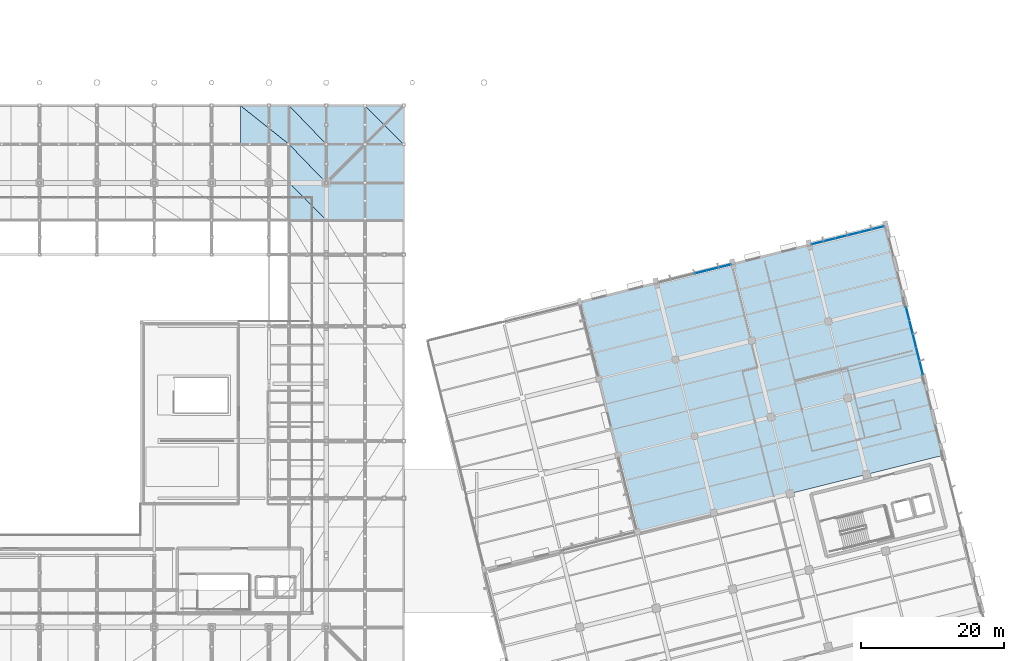
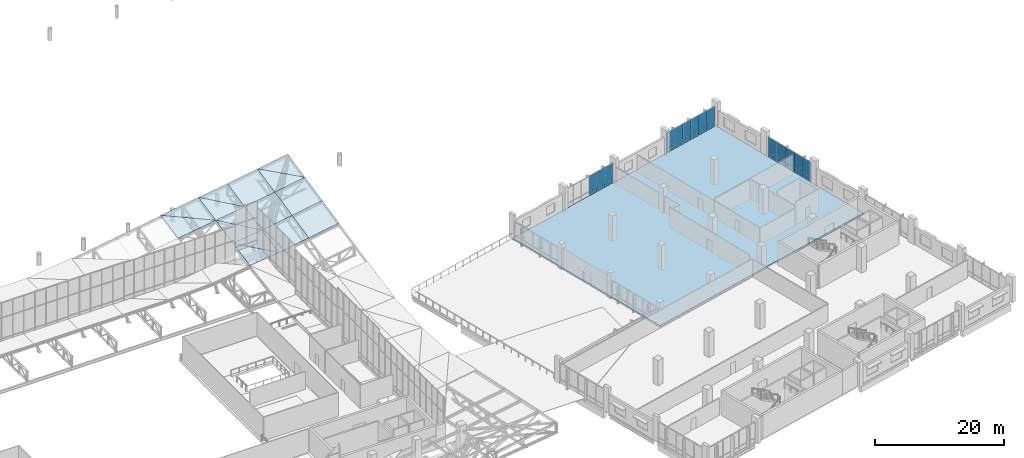
# One storey, part 113 of 137: 28 plates, 16 slabs, 4 elements without a shape of their own.
"""IFC4 building model written with IfcOpenShell, lengths in metres."""

from ifc_helpers import new_model, si_unit, direction, frame, origin, origin_2d, place, context, subcontext, project, spatial, polyline, rectangle, outline, extrude, material, layer, layer_set, type_object, element, aggregate, save


model = new_model("IFC4")

# Units and contexts
model_context = context("Model", 3, precision=1e-05, world=origin(), true_north=direction((0.0, 1.0)))
body_context = subcontext(model_context, "Body", "Model", "MODEL_VIEW")
ifc_project = project(units=[si_unit("LENGTHUNIT", "METRE"), si_unit("AREAUNIT", "SQUARE_METRE"), si_unit("VOLUMEUNIT", "CUBIC_METRE"), si_unit("PLANEANGLEUNIT", "RADIAN"), si_unit("MASSUNIT", "GRAM", prefix="KILO")], contexts=[model_context])

# Site, building, storey
site_placement = place(None, origin())
site = spatial("IfcSite", under=ifc_project, at=site_placement, CompositionType="ELEMENT")
building_placement = place(site_placement, origin())
building = spatial("IfcBuilding", under=site, at=building_placement, Name="Khorjan Park Terminus", CompositionType="ELEMENT")
storey_placement = place(building_placement, frame((0.0, 0.0, 11.4)))
storey = spatial("IfcBuildingStorey", under=building, at=storey_placement, Name="L02", CompositionType="ELEMENT", Elevation=11.4)

# Curtain wall, plates
ifc_material_1 = material(Name="Anodized Bronze Aluminium", Category="aluminium")
ifc_layer_1 = layer(ifc_material_1, 0.22)
ifc_layer_set_1 = layer_set([ifc_layer_1], Name="Anodized Bronze Aluminium")
curtain_wall_type = type_object("IfcCurtainWallType", Name="CW-OPS-B", PredefinedType="NOTDEFINED", material=ifc_layer_set_1)
curtain_wall_1_placement = place(storey_placement, origin())
curtain_wall_1 = element("IfcCurtainWall", 1, at=curtain_wall_1_placement, inside=storey, type_object=curtain_wall_type, Name="Unitized curtain wall CW-B (CW-V5-N1-L02-B03)", PredefinedType="NOTDEFINED")
ifc_material_2 = material(Name="Low-E Solar Control Double Glazing", Category="glass")
ifc_layer_2 = layer(ifc_material_2, 0.032)
ifc_layer_set_2 = layer_set([ifc_layer_2], Name="Low-E Solar Control Double Glazing")
plate_type_1 = type_object("IfcPlateType", Name="GL-VIS-32", PredefinedType="CURTAIN_PANEL", material=ifc_layer_set_2)
plate_1_placement = place(storey_placement, frame((191.5697, 76.3957, 0.833), z_axis=(0.0, 0.0, 1.0), x_axis=(-0.970295910648, -0.241921156122, 0.0)))
plate_1 = element("IfcPlate", 2, at=plate_1_placement, type_object=plate_type_1, Name="Curtain-wall panel VP-32 (CW-V5-N1-L02-B03-0-2)", PredefinedType="CURTAIN_PANEL", context=body_context, shape_type="SweptSolid", body=[
    extrude(rectangle(XDim=1.7233, YDim=0.032, at=origin_2d()), origin(), (0.0, 0.0, 1.0), 2.962),
])
plate_2_placement = place(storey_placement, frame((189.8976, 75.9788, 0.833), z_axis=(0.0, 0.0, 1.0), x_axis=(-0.970295910648, -0.241921156122, 0.0)))
plate_2 = element("IfcPlate", 3, at=plate_2_placement, type_object=plate_type_1, Name="Curtain-wall panel VP-32 (CW-V5-N1-L02-B03-1-2)", PredefinedType="CURTAIN_PANEL", context=body_context, shape_type="SweptSolid", body=[
    extrude(rectangle(XDim=1.7233, YDim=0.032, at=origin_2d()), origin(), (0.0, 0.0, 1.0), 2.962),
])
plate_3_placement = place(storey_placement, frame((188.2255, 75.5619, 0.833), z_axis=(0.0, 0.0, 1.0), x_axis=(-0.970295910648, -0.241921156122, 0.0)))
plate_3 = element("IfcPlate", 4, at=plate_3_placement, type_object=plate_type_1, Name="Curtain-wall panel VP-32 (CW-V5-N1-L02-B03-2-2)", PredefinedType="CURTAIN_PANEL", context=body_context, shape_type="SweptSolid", body=[
    extrude(rectangle(XDim=1.7233, YDim=0.032, at=origin_2d()), origin(), (0.0, 0.0, 1.0), 2.962),
])

curtain_wall_2_placement = place(storey_placement, origin())
curtain_wall_2 = element("IfcCurtainWall", 5, at=curtain_wall_2_placement, inside=storey, type_object=curtain_wall_type, Name="Unitized curtain wall CW-B (CW-V5-E-L02-B05)", PredefinedType="NOTDEFINED")
ifc_material_3 = material(Name="Acoustic Laminated Solar Glazing", Category="glass")
ifc_layer_3 = layer(ifc_material_3, 0.036)
ifc_layer_set_3 = layer_set([ifc_layer_3], Name="Acoustic Laminated Solar Glazing")
plate_type_2 = type_object("IfcPlateType", Name="GL-VIS-36", PredefinedType="CURTAIN_PANEL", material=ifc_layer_set_3)
plate_4_placement = place(storey_placement, frame((218.9973, 62.2552, 0.833), z_axis=(0.0, 0.0, 1.0), x_axis=(-0.241935125171, 0.970292427678, 0.0)))
plate_4 = element("IfcPlate", 6, at=plate_4_placement, type_object=plate_type_2, Name="Curtain-wall panel VP-36 (CW-V5-E-L02-B05-0-2)", PredefinedType="CURTAIN_PANEL", context=body_context, shape_type="SweptSolid", body=[
    extrude(rectangle(XDim=1.928, YDim=0.036, at=origin_2d()), origin(), (0.0, 0.0, 1.0), 2.962),
])
plate_5_placement = place(storey_placement, frame((218.5308, 64.1258, 0.833), z_axis=(0.0, 0.0, 1.0), x_axis=(-0.241935125171, 0.970292427678, 0.0)))
plate_5 = element("IfcPlate", 7, at=plate_5_placement, type_object=plate_type_2, Name="Curtain-wall panel VP-36 (CW-V5-E-L02-B05-1-2)", PredefinedType="CURTAIN_PANEL", context=body_context, shape_type="SweptSolid", body=[
    extrude(rectangle(XDim=1.928, YDim=0.036, at=origin_2d()), origin(), (0.0, 0.0, 1.0), 2.962),
])
plate_6_placement = place(storey_placement, frame((218.0644, 65.9965, 0.833), z_axis=(0.0, 0.0, 1.0), x_axis=(-0.241935125171, 0.970292427678, 0.0)))
plate_6 = element("IfcPlate", 8, at=plate_6_placement, type_object=plate_type_2, Name="Curtain-wall panel VP-36 (CW-V5-E-L02-B05-2-2)", PredefinedType="CURTAIN_PANEL", context=body_context, shape_type="SweptSolid", body=[
    extrude(rectangle(XDim=1.928, YDim=0.036, at=origin_2d()), origin(), (0.0, 0.0, 1.0), 2.962),
])
plate_7_placement = place(storey_placement, frame((217.5979, 67.8671, 0.833), z_axis=(0.0, 0.0, 1.0), x_axis=(-0.241935125171, 0.970292427678, 0.0)))
plate_7 = element("IfcPlate", 9, at=plate_7_placement, type_object=plate_type_2, Name="Curtain-wall panel VP-36 (CW-V5-E-L02-B05-3-2)", PredefinedType="CURTAIN_PANEL", context=body_context, shape_type="SweptSolid", body=[
    extrude(rectangle(XDim=1.928, YDim=0.036, at=origin_2d()), origin(), (0.0, 0.0, 1.0), 2.962),
])
plate_8_placement = place(storey_placement, frame((217.1315, 69.7378, 0.833), z_axis=(0.0, 0.0, 1.0), x_axis=(-0.241935125171, 0.970292427678, 0.0)))
plate_8 = element("IfcPlate", 10, at=plate_8_placement, type_object=plate_type_2, Name="Curtain-wall panel VP-36 (CW-V5-E-L02-B05-4-2)", PredefinedType="CURTAIN_PANEL", context=body_context, shape_type="SweptSolid", body=[
    extrude(rectangle(XDim=1.928, YDim=0.036, at=origin_2d()), origin(), (0.0, 0.0, 1.0), 2.962),
])

curtain_wall_3_placement = place(storey_placement, origin())
curtain_wall_3 = element("IfcCurtainWall", 11, at=curtain_wall_3_placement, inside=storey, type_object=curtain_wall_type, Name="Unitized curtain wall CW-B (CW-V5-N1-L02-B01)", PredefinedType="NOTDEFINED")
plate_9_placement = place(storey_placement, frame((212.9166, 81.7181, 0.841), z_axis=(0.0, 0.0, 1.0), x_axis=(-0.970294194364, -0.241928039679, 0.0)))
plate_9 = element("IfcPlate", 12, at=plate_9_placement, type_object=plate_type_2, Name="Curtain-wall panel VP-36 (CW-V5-N1-L02-B01-0-2)", PredefinedType="CURTAIN_PANEL", context=body_context, shape_type="SweptSolid", body=[
    extrude(rectangle(XDim=1.7234, YDim=0.036, at=origin_2d()), origin(), (0.0, 0.0, 1.0), 2.994),
])
plate_10_placement = place(storey_placement, frame((211.2443, 81.3012, 0.841), z_axis=(0.0, 0.0, 1.0), x_axis=(-0.970294194364, -0.241928039679, 0.0)))
plate_10 = element("IfcPlate", 13, at=plate_10_placement, type_object=plate_type_2, Name="Curtain-wall panel VP-36 (CW-V5-N1-L02-B01-1-2)", PredefinedType="CURTAIN_PANEL", context=body_context, shape_type="SweptSolid", body=[
    extrude(rectangle(XDim=1.7234, YDim=0.036, at=origin_2d()), origin(), (0.0, 0.0, 1.0), 2.994),
])
plate_11_placement = place(storey_placement, frame((209.5721, 80.8842, 0.841), z_axis=(0.0, 0.0, 1.0), x_axis=(-0.970294194364, -0.241928039679, 0.0)))
plate_11 = element("IfcPlate", 14, at=plate_11_placement, type_object=plate_type_2, Name="Curtain-wall panel VP-36 (CW-V5-N1-L02-B01-2-2)", PredefinedType="CURTAIN_PANEL", context=body_context, shape_type="SweptSolid", body=[
    extrude(rectangle(XDim=1.7234, YDim=0.036, at=origin_2d()), origin(), (0.0, 0.0, 1.0), 2.994),
])
plate_12_placement = place(storey_placement, frame((207.8999, 80.4673, 0.841), z_axis=(0.0, 0.0, 1.0), x_axis=(-0.970294194364, -0.241928039679, 0.0)))
plate_12 = element("IfcPlate", 15, at=plate_12_placement, type_object=plate_type_2, Name="Curtain-wall panel VP-36 (CW-V5-N1-L02-B01-3-2)", PredefinedType="CURTAIN_PANEL", context=body_context, shape_type="SweptSolid", body=[
    extrude(rectangle(XDim=1.7234, YDim=0.036, at=origin_2d()), origin(), (0.0, 0.0, 1.0), 2.994),
])
plate_13_placement = place(storey_placement, frame((206.2276, 80.0503, 0.841), z_axis=(0.0, 0.0, 1.0), x_axis=(-0.970294194364, -0.241928039679, 0.0)))
plate_13 = element("IfcPlate", 16, at=plate_13_placement, type_object=plate_type_2, Name="Curtain-wall panel VP-36 (CW-V5-N1-L02-B01-4-2)", PredefinedType="CURTAIN_PANEL", context=body_context, shape_type="SweptSolid", body=[
    extrude(rectangle(XDim=1.7234, YDim=0.036, at=origin_2d()), origin(), (0.0, 0.0, 1.0), 2.994),
])
plate_14_placement = place(storey_placement, frame((204.5553, 79.6334, 0.841), z_axis=(0.0, 0.0, 1.0), x_axis=(-0.970294194364, -0.241928039679, 0.0)))
plate_14 = element("IfcPlate", 17, at=plate_14_placement, type_object=plate_type_2, Name="Curtain-wall panel VP-36 (CW-V5-N1-L02-B01-5-2)", PredefinedType="CURTAIN_PANEL", context=body_context, shape_type="SweptSolid", body=[
    extrude(rectangle(XDim=1.7234, YDim=0.036, at=origin_2d()), origin(), (0.0, 0.0, 1.0), 2.994),
])

# Slab
ifc_material_4 = material(Name="Concrete C40/50", Category="concrete")
ifc_layer_4 = layer(ifc_material_4, 0.34)
ifc_layer_set_4 = layer_set([ifc_layer_4], Name="Concrete C40/50")
slab_type_1 = type_object("IfcSlabType", Name="SL-FLR-340", PredefinedType="FLOOR", material=ifc_layer_set_4)
slab_1_placement = place(storey_placement, frame((0.0, 0.0, -0.34)))
element("IfcSlab", 18, at=slab_1_placement, inside=storey, type_object=slab_type_1, Name="Structural floor slab FS-34 (L02-V5-NE)", PredefinedType="FLOOR", context=body_context, shape_type="SweptSolid", body=[
    extrude(outline(polyline([(171.3797, 71.3618), (214.0727, 82.0064), (222.0561, 49.9866), (179.3631, 39.342), (171.3797, 71.3618)])), origin(), (0.0, 0.0, 1.0), 0.34),
])

# Roof, slabs
ifc_material_5 = material(Name="Concrete C50/60", Category="concrete")
ifc_layer_5 = layer(ifc_material_5, 0.16)
ifc_layer_set_5 = layer_set([ifc_layer_5], Name="Concrete C50/60")
roof_type = type_object("IfcRoofType", Name="RF-SHELL-LOWER", PredefinedType="FREEFORM", material=ifc_layer_set_5)
roof_placement = place(storey_placement, origin())
roof = element("IfcRoof", 19, at=roof_placement, inside=storey, type_object=roof_type, Name="Lower 4-sided wrapping folded concrete shell roof RF-CS2 (4)", PredefinedType="FREEFORM")
ifc_layer_6 = layer(ifc_material_5, 0.16)
ifc_layer_set_6 = layer_set([ifc_layer_6], Name="Concrete C50/60")
slab_type_2 = type_object("IfcSlabType", Name="SL-SHL-160", PredefinedType="ROOF", material=ifc_layer_set_6)
slab_2_placement = place(storey_placement, frame((124.0, 93.4, 3.2229), z_axis=(-0.146315862219, -0.194523612236, 0.969923828321), x_axis=(0.98881228291, 0.0, 0.149165241148)))
slab_2 = element("IfcSlab", 20, at=slab_2_placement, type_object=slab_type_2, Name="Lower 4-sided wrapping folded concrete shell facet RS-16 (147)", PredefinedType="ROOF", context=body_context, shape_type="SweptSolid", body=[
    extrude(outline(polyline([(0.0, 0.0), (6.876937228156162, 0.0), (0.16154595616366635, 5.5051604794090325), (0.0, 0.0)])), origin(), (0.0, 0.0, -1.0), 0.16),
])
slab_3_placement = place(storey_placement, frame((130.8, 93.4, 4.2487), z_axis=(-0.148866760064, -0.197724879688, 0.968887795207), x_axis=(0.0, 0.979805509738, 0.199952902172)))
slab_3 = element("IfcSlab", 21, at=slab_3_placement, type_object=slab_type_2, Name="Lower 4-sided wrapping folded concrete shell facet RS-16 (148)", PredefinedType="ROOF", context=body_context, shape_type="SweptSolid", body=[
    extrude(outline(polyline([(0.0, 0.0), (5.511297850778881, 2.7755575615628914e-17), (5.30238705858911, 6.876624413250065), (0.0, 0.0)])), origin(), (0.0, 0.0, -1.0), 0.16),
])
slab_4_placement = place(storey_placement, frame((130.8, 82.8, 2.0855), z_axis=(-0.120774798087, -0.198491893651, 0.97263272426), x_axis=(0.992378547218, 0.0, 0.123226697681)))
slab_4 = element("IfcSlab", 22, at=slab_4_placement, type_object=slab_type_2, Name="Lower 4-sided wrapping folded concrete shell facet RS-16 (165)", PredefinedType="ROOF", context=body_context, shape_type="SweptSolid", body=[
    extrude(outline(polyline([(0.0, 0.0), (5.239935924226543, 0.0), (0.13076817157857573, 5.305567370725022), (0.0, 0.0)])), origin(), (0.0, 0.0, -1.0), 0.16),
])
slab_5_placement = place(storey_placement, frame((136.0, 82.8, 2.7312), z_axis=(-0.128426377093, -0.205941135492, 0.970100466127), x_axis=(0.0, 0.97820090307, 0.207660764788)))
slab_5 = element("IfcSlab", 23, at=slab_5_placement, type_object=slab_type_2, Name="Lower 4-sided wrapping folded concrete shell facet RS-16 (166)", PredefinedType="ROOF", context=body_context, shape_type="SweptSolid", body=[
    extrude(outline(polyline([(0.0, 0.0), (5.315881414215335, -2.7755575615628914e-17), (5.172927743735053, 5.243420525582142), (0.0, 0.0)])), origin(), (0.0, 0.0, -1.0), 0.16),
])
slab_6_placement = place(storey_placement, frame((130.8, 88.0, 3.1467), z_axis=(-0.128633560246, -0.198291732205, 0.971665475417), x_axis=(0.991350681142, 0.0, 0.131239578634)))
slab_6 = element("IfcSlab", 24, at=slab_6_placement, type_object=slab_type_2, Name="Lower 4-sided wrapping folded concrete shell facet RS-16 (167)", PredefinedType="ROOF", context=body_context, shape_type="SweptSolid", body=[
    extrude(outline(polyline([(0.0, 0.0), (5.2453688678681, 0.0), (0.14462601565489674, 5.509399905216161), (0.0, 0.0)])), origin(), (0.0, 0.0, -1.0), 0.16),
])
slab_7_placement = place(storey_placement, frame((136.0, 88.0, 3.8351), z_axis=(-0.136559457801, -0.205722637827, 0.969035453825), x_axis=(0.0, 0.978199346233, 0.207668098245)))
slab_7 = element("IfcSlab", 25, at=slab_7_placement, type_object=slab_type_2, Name="Lower 4-sided wrapping folded concrete shell facet RS-16 (168)", PredefinedType="ROOF", context=body_context, shape_type="SweptSolid", body=[
    extrude(outline(polyline([(0.0, 0.0), (5.520347177488031, 0.0), (5.36816799509424, 5.24917491958935), (0.0, 0.0)])), origin(), (0.0, 0.0, -1.0), 0.16),
])
slab_8_placement = place(storey_placement, frame((130.8, 93.4, 4.2487), z_axis=(-0.136779491301, -0.198073648753, 0.970596826921), x_axis=(0.990215834494, 0.0, 0.139544262215)))
slab_8 = element("IfcSlab", 26, at=slab_8_placement, type_object=slab_type_2, Name="Lower 4-sided wrapping folded concrete shell facet RS-16 (169)", PredefinedType="ROOF", context=body_context, shape_type="SweptSolid", body=[
    extrude(outline(polyline([(0.0, 0.0), (5.251380374720526, 0.0), (0.15377777696078151, 5.509152057741091), (0.0, 0.0)])), origin(), (0.0, 0.0, -1.0), 0.16),
])
slab_9_placement = place(storey_placement, frame((136.0, 93.4, 4.9815), z_axis=(-0.144665218122, -0.205483566718, 0.967909333809), x_axis=(0.0, 0.978199346233, 0.207668098245)))
slab_9 = element("IfcSlab", 27, at=slab_9_placement, type_object=slab_type_2, Name="Lower 4-sided wrapping folded concrete shell facet RS-16 (170)", PredefinedType="ROOF", context=body_context, shape_type="SweptSolid", body=[
    extrude(outline(polyline([(0.0, 0.0), (5.520347177488016, 0.0), (5.358947531532156, 5.255282104158178), (0.0, 0.0)])), origin(), (0.0, 0.0, -1.0), 0.16),
])
slab_10_placement = place(storey_placement, frame((136.0, 82.8, 2.7312), z_axis=(-0.163711030587, -0.204859075678, 0.965003345889), x_axis=(0.985913104802, 0.0, 0.167258332465)))
slab_10 = element("IfcSlab", 28, at=slab_10_placement, type_object=slab_type_2, Name="Lower 4-sided wrapping folded concrete shell facet RS-16 (184)", PredefinedType="ROOF", context=body_context, shape_type="SweptSolid", body=[
    extrude(outline(polyline([(0.0, 0.0), (5.477156124303931, 0.0), (5.6617925975117345, 5.312673957882359), (0.1846364732078035, 5.312673957882359), (0.0, 0.0)])), origin(), (0.0, 0.0, -1.0), 0.16),
])
slab_11_placement = place(storey_placement, frame((136.0, 88.0, 3.8351), z_axis=(-0.163710777019, -0.204866318933, 0.965001851218), x_axis=(0.985913104802, 0.0, 0.167258332465)))
slab_11 = element("IfcSlab", 29, at=slab_11_placement, type_object=slab_type_2, Name="Lower 4-sided wrapping folded concrete shell facet RS-16 (185)", PredefinedType="ROOF", context=body_context, shape_type="SweptSolid", body=[
    extrude(outline(polyline([(0.0, 0.0), (5.477156124303931, -2.7755575615628914e-17), (5.668901076641485, 5.517016116820136), (0.19174495233755412, 5.517016116820136), (0.0, 0.0)])), origin(), (0.0, 0.0, -1.0), 0.16),
])
slab_12_placement = place(storey_placement, frame((136.0, 93.4, 4.9815), z_axis=(-0.163702380927, -0.204858058376, 0.965005029208), x_axis=(0.985914546954, 1.804669e-06, 0.167249831392)))
slab_12 = element("IfcSlab", 30, at=slab_12_placement, type_object=slab_type_2, Name="Lower 4-sided wrapping folded concrete shell facet RS-16 (186)", PredefinedType="ROOF", context=body_context, shape_type="SweptSolid", body=[
    extrude(outline(polyline([(0.0, 0.0), (5.477156124091405, -2.7755575615628914e-17), (5.668884351028206, 5.516995919399205), (0.19174495191994037, 5.517016116623644), (0.0, 0.0)])), origin(), (0.0, 0.0, -1.0), 0.16),
])
slab_13_placement = place(storey_placement, frame((141.4, 82.8, 3.6473), z_axis=(-0.163711030587, -0.204859075678, 0.965003345889), x_axis=(0.985913104802, 0.0, 0.167258332465)))
slab_13 = element("IfcSlab", 31, at=slab_13_placement, type_object=slab_type_2, Name="Lower 4-sided wrapping folded concrete shell facet RS-16 (201)", PredefinedType="ROOF", context=body_context, shape_type="SweptSolid", body=[
    extrude(outline(polyline([(0.0, 0.0), (5.4771561243039315, 2.7755575615628914e-17), (5.6617925975117345, 5.31267395788236), (0.18463647320780346, 5.312673957882359), (0.0, 0.0)])), origin(), (0.0, 0.0, -1.0), 0.16),
])
slab_14_placement = place(storey_placement, frame((141.4, 88.0, 4.7512), z_axis=(-0.163702380927, -0.204858058376, 0.965005029208), x_axis=(0.985914546954, 1.804669e-06, 0.167249831392)))
slab_14 = element("IfcSlab", 32, at=slab_14_placement, type_object=slab_type_2, Name="Lower 4-sided wrapping folded concrete shell facet RS-16 (202)", PredefinedType="ROOF", context=body_context, shape_type="SweptSolid", body=[
    extrude(outline(polyline([(0.0, 0.0), (5.477156124091405, -2.7755575615628914e-17), (5.668884351028206, 5.5169959193992195), (0.1917449519199404, 5.517016116623658), (0.0, 0.0)])), origin(), (0.0, 0.0, -1.0), 0.16),
])
slab_15_placement = place(storey_placement, frame((141.4, 93.4, 5.8976), z_axis=(-0.163693984756, -0.204849797735, 0.965008207075), x_axis=(0.985916115378, 0.0, 0.167240585497)))
slab_15 = element("IfcSlab", 33, at=slab_15_placement, type_object=slab_type_2, Name="Lower 4-sided wrapping folded concrete shell facet RS-16 (203)", PredefinedType="ROOF", context=body_context, shape_type="SweptSolid", body=[
    extrude(outline(polyline([(0.0, 0.0), (5.477139399358032, -2.7755575615628914e-17), (0.19170788315577125, 5.516996626565568), (0.0, 0.0)])), origin(), (0.0, 0.0, -1.0), 0.16),
])
slab_16_placement = place(storey_placement, frame((146.8, 93.4, 6.8136), z_axis=(-0.163710777019, -0.204866318933, 0.965001851218), x_axis=(0.0, 0.978199346233, 0.207668098245)))
slab_16 = element("IfcSlab", 34, at=slab_16_placement, type_object=slab_type_2, Name="Lower 4-sided wrapping folded concrete shell facet RS-16 (204)", PredefinedType="ROOF", context=body_context, shape_type="SweptSolid", body=[
    extrude(outline(polyline([(0.0, 0.0), (5.520347177488016, 0.0), (5.330102432685953, 5.473851125768335), (0.0, 0.0)])), origin(), (0.0, 0.0, -1.0), 0.16),
])
aggregate(roof, [slab_2, slab_3, slab_4, slab_5, slab_6, slab_7, slab_8, slab_9, slab_10, slab_11, slab_12, slab_13, slab_14, slab_15, slab_16])

# Plate
ifc_material_6 = material(Name="Insulated Bronze-Composite Spandrel Panel")
ifc_layer_7 = layer(ifc_material_6, 0.055)
ifc_layer_set_7 = layer_set([ifc_layer_7], Name="Insulated Bronze-Composite Spandrel Panel")
plate_type_3 = type_object("IfcPlateType", Name="SP-AL-55", PredefinedType="CURTAIN_PANEL", material=ifc_layer_set_7)
plate_15_placement = place(storey_placement, frame((218.9973, 62.2552, -0.01), z_axis=(0.0, 0.0, 1.0), x_axis=(-0.241935125171, 0.970292427678, 0.0)))
plate_15 = element("IfcPlate", 35, at=plate_15_placement, type_object=plate_type_3, Name="Curtain-wall panel SP-A55 (CW-V5-E-L02-B05-0-1)", PredefinedType="CURTAIN_PANEL", context=body_context, shape_type="SweptSolid", body=[
    extrude(rectangle(XDim=1.928, YDim=0.055, at=origin_2d()), origin(), (0.0, 0.0, 1.0), 0.843),
])

plate_16_placement = place(storey_placement, frame((218.5308, 64.1258, -0.01), z_axis=(0.0, 0.0, 1.0), x_axis=(-0.241935125171, 0.970292427678, 0.0)))
plate_16 = element("IfcPlate", 36, at=plate_16_placement, type_object=plate_type_3, Name="Curtain-wall panel SP-A55 (CW-V5-E-L02-B05-1-1)", PredefinedType="CURTAIN_PANEL", context=body_context, shape_type="SweptSolid", body=[
    extrude(rectangle(XDim=1.928, YDim=0.055, at=origin_2d()), origin(), (0.0, 0.0, 1.0), 0.843),
])

plate_17_placement = place(storey_placement, frame((218.0644, 65.9965, -0.01), z_axis=(0.0, 0.0, 1.0), x_axis=(-0.241935125171, 0.970292427678, 0.0)))
plate_17 = element("IfcPlate", 37, at=plate_17_placement, type_object=plate_type_3, Name="Curtain-wall panel SP-A55 (CW-V5-E-L02-B05-2-1)", PredefinedType="CURTAIN_PANEL", context=body_context, shape_type="SweptSolid", body=[
    extrude(rectangle(XDim=1.928, YDim=0.055, at=origin_2d()), origin(), (0.0, 0.0, 1.0), 0.843),
])

plate_18_placement = place(storey_placement, frame((217.5979, 67.8671, -0.01), z_axis=(0.0, 0.0, 1.0), x_axis=(-0.241935125171, 0.970292427678, 0.0)))
plate_18 = element("IfcPlate", 38, at=plate_18_placement, type_object=plate_type_3, Name="Curtain-wall panel SP-A55 (CW-V5-E-L02-B05-3-1)", PredefinedType="CURTAIN_PANEL", context=body_context, shape_type="SweptSolid", body=[
    extrude(rectangle(XDim=1.928, YDim=0.055, at=origin_2d()), origin(), (0.0, 0.0, 1.0), 0.843),
])

plate_19_placement = place(storey_placement, frame((217.1315, 69.7378, -0.01), z_axis=(0.0, 0.0, 1.0), x_axis=(-0.241935125171, 0.970292427678, 0.0)))
plate_19 = element("IfcPlate", 39, at=plate_19_placement, type_object=plate_type_3, Name="Curtain-wall panel SP-A55 (CW-V5-E-L02-B05-4-1)", PredefinedType="CURTAIN_PANEL", context=body_context, shape_type="SweptSolid", body=[
    extrude(rectangle(XDim=1.928, YDim=0.055, at=origin_2d()), origin(), (0.0, 0.0, 1.0), 0.843),
])

aggregate(curtain_wall_2, [plate_15, plate_4, plate_16, plate_5, plate_17, plate_6, plate_18, plate_7, plate_19, plate_8])

plate_20_placement = place(storey_placement, frame((212.9166, 81.7181, -0.01), z_axis=(0.0, 0.0, 1.0), x_axis=(-0.970294194364, -0.241928039679, 0.0)))
plate_20 = element("IfcPlate", 40, at=plate_20_placement, type_object=plate_type_3, Name="Curtain-wall panel SP-A55 (CW-V5-N1-L02-B01-0-1)", PredefinedType="CURTAIN_PANEL", context=body_context, shape_type="SweptSolid", body=[
    extrude(rectangle(XDim=1.7234, YDim=0.055, at=origin_2d()), origin(), (0.0, 0.0, 1.0), 0.851),
])

plate_21_placement = place(storey_placement, frame((211.2443, 81.3012, -0.01), z_axis=(0.0, 0.0, 1.0), x_axis=(-0.970294194364, -0.241928039679, 0.0)))
plate_21 = element("IfcPlate", 41, at=plate_21_placement, type_object=plate_type_3, Name="Curtain-wall panel SP-A55 (CW-V5-N1-L02-B01-1-1)", PredefinedType="CURTAIN_PANEL", context=body_context, shape_type="SweptSolid", body=[
    extrude(rectangle(XDim=1.7234, YDim=0.055, at=origin_2d()), origin(), (0.0, 0.0, 1.0), 0.851),
])

plate_22_placement = place(storey_placement, frame((209.5721, 80.8842, -0.01), z_axis=(0.0, 0.0, 1.0), x_axis=(-0.970294194364, -0.241928039679, 0.0)))
plate_22 = element("IfcPlate", 42, at=plate_22_placement, type_object=plate_type_3, Name="Curtain-wall panel SP-A55 (CW-V5-N1-L02-B01-2-1)", PredefinedType="CURTAIN_PANEL", context=body_context, shape_type="SweptSolid", body=[
    extrude(rectangle(XDim=1.7234, YDim=0.055, at=origin_2d()), origin(), (0.0, 0.0, 1.0), 0.851),
])

plate_23_placement = place(storey_placement, frame((207.8999, 80.4673, -0.01), z_axis=(0.0, 0.0, 1.0), x_axis=(-0.970294194364, -0.241928039679, 0.0)))
plate_23 = element("IfcPlate", 43, at=plate_23_placement, type_object=plate_type_3, Name="Curtain-wall panel SP-A55 (CW-V5-N1-L02-B01-3-1)", PredefinedType="CURTAIN_PANEL", context=body_context, shape_type="SweptSolid", body=[
    extrude(rectangle(XDim=1.7234, YDim=0.055, at=origin_2d()), origin(), (0.0, 0.0, 1.0), 0.851),
])

plate_24_placement = place(storey_placement, frame((206.2276, 80.0503, -0.01), z_axis=(0.0, 0.0, 1.0), x_axis=(-0.970294194364, -0.241928039679, 0.0)))
plate_24 = element("IfcPlate", 44, at=plate_24_placement, type_object=plate_type_3, Name="Curtain-wall panel SP-A55 (CW-V5-N1-L02-B01-4-1)", PredefinedType="CURTAIN_PANEL", context=body_context, shape_type="SweptSolid", body=[
    extrude(rectangle(XDim=1.7234, YDim=0.055, at=origin_2d()), origin(), (0.0, 0.0, 1.0), 0.851),
])

plate_25_placement = place(storey_placement, frame((204.5553, 79.6334, -0.01), z_axis=(0.0, 0.0, 1.0), x_axis=(-0.970294194364, -0.241928039679, 0.0)))
plate_25 = element("IfcPlate", 45, at=plate_25_placement, type_object=plate_type_3, Name="Curtain-wall panel SP-A55 (CW-V5-N1-L02-B01-5-1)", PredefinedType="CURTAIN_PANEL", context=body_context, shape_type="SweptSolid", body=[
    extrude(rectangle(XDim=1.7234, YDim=0.055, at=origin_2d()), origin(), (0.0, 0.0, 1.0), 0.851),
])

aggregate(curtain_wall_3, [plate_20, plate_9, plate_21, plate_10, plate_22, plate_11, plate_23, plate_12, plate_24, plate_13, plate_25, plate_14])

plate_26_placement = place(storey_placement, frame((191.5697, 76.3957, -0.01), z_axis=(0.0, 0.0, 1.0), x_axis=(-0.970295910648, -0.241921156122, 0.0)))
plate_26 = element("IfcPlate", 46, at=plate_26_placement, type_object=plate_type_3, Name="Curtain-wall panel SP-A55 (CW-V5-N1-L02-B03-0-1)", PredefinedType="CURTAIN_PANEL", context=body_context, shape_type="SweptSolid", body=[
    extrude(rectangle(XDim=1.7233, YDim=0.055, at=origin_2d()), origin(), (0.0, 0.0, 1.0), 0.843),
])

plate_27_placement = place(storey_placement, frame((189.8976, 75.9788, -0.01), z_axis=(0.0, 0.0, 1.0), x_axis=(-0.970295910648, -0.241921156122, 0.0)))
plate_27 = element("IfcPlate", 47, at=plate_27_placement, type_object=plate_type_3, Name="Curtain-wall panel SP-A55 (CW-V5-N1-L02-B03-1-1)", PredefinedType="CURTAIN_PANEL", context=body_context, shape_type="SweptSolid", body=[
    extrude(rectangle(XDim=1.7233, YDim=0.055, at=origin_2d()), origin(), (0.0, 0.0, 1.0), 0.843),
])

plate_28_placement = place(storey_placement, frame((188.2255, 75.5619, -0.01), z_axis=(0.0, 0.0, 1.0), x_axis=(-0.970295910648, -0.241921156122, 0.0)))
plate_28 = element("IfcPlate", 48, at=plate_28_placement, type_object=plate_type_3, Name="Curtain-wall panel SP-A55 (CW-V5-N1-L02-B03-2-1)", PredefinedType="CURTAIN_PANEL", context=body_context, shape_type="SweptSolid", body=[
    extrude(rectangle(XDim=1.7233, YDim=0.055, at=origin_2d()), origin(), (0.0, 0.0, 1.0), 0.843),
])

aggregate(curtain_wall_1, [plate_26, plate_1, plate_27, plate_2, plate_28, plate_3])

save(model, "model.ifc")
